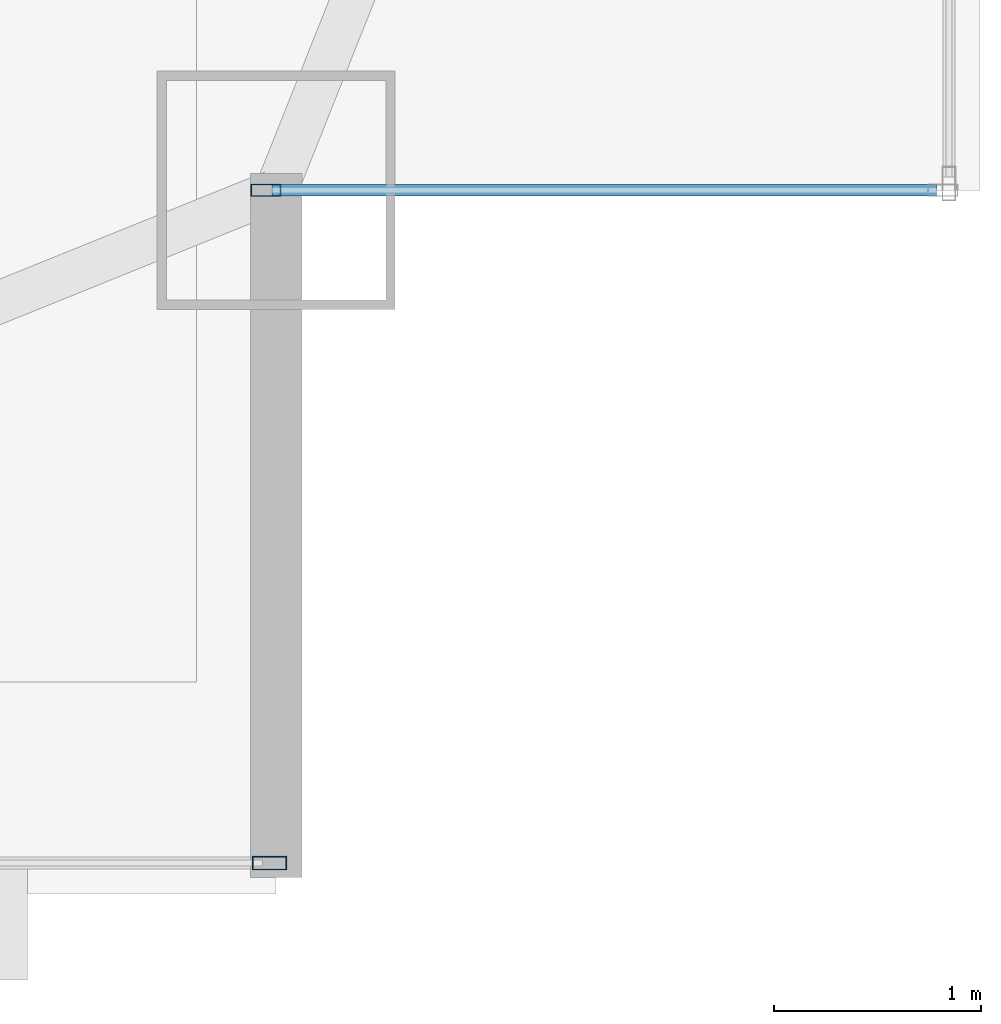
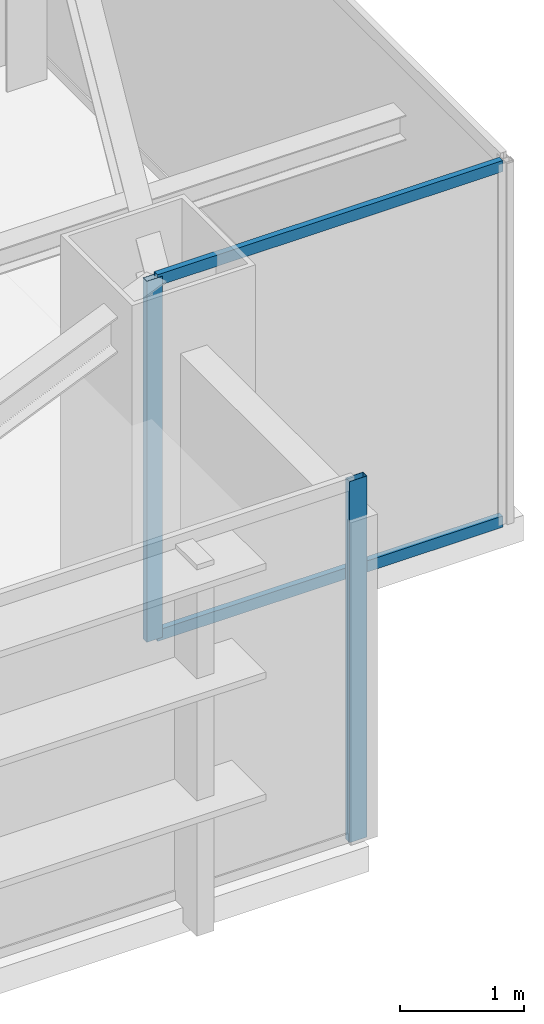
# One storey, part 11 of 26: 4 members, 2 elements without a shape of their own.
"""IFC4 building model written with IfcOpenShell, lengths in metres."""

from ifc_helpers import new_model, si_unit, direction, frame, origin, origin_2d, place, context, subcontext, project, spatial, hollow_rectangle, extrude, source, transform, mapped, material, layer, layer_set, material_profile, profile_set, type_object, type_shapes, element, aggregate, save


model = new_model("IFC4")

# Units and contexts
model_context = context("Model", 3, precision=1e-05, world=origin(), true_north=direction((0.0, 1.0)))
body_context = subcontext(model_context, "Body", "Model", "MODEL_VIEW")
ifc_project = project(units=[si_unit("LENGTHUNIT", "METRE"), si_unit("AREAUNIT", "SQUARE_METRE"), si_unit("VOLUMEUNIT", "CUBIC_METRE"), si_unit("PLANEANGLEUNIT", "RADIAN"), si_unit("MASSUNIT", "GRAM", prefix="KILO")], contexts=[model_context])

# Site, building, storey
site_placement = place(None, origin())
site = spatial("IfcSite", under=ifc_project, at=site_placement, CompositionType="ELEMENT")
building_placement = place(site_placement, origin())
building = spatial("IfcBuilding", under=site, at=building_placement, Name="Varnel Quay Broadcast Tower", CompositionType="ELEMENT")
storey_placement = place(building_placement, frame((0.0, 0.0, 218.800048828125)))
storey = spatial("IfcBuildingStorey", under=building, at=storey_placement, Name="L54", CompositionType="ELEMENT", Elevation=218.800048828125)

# Curtain wall, member
ifc_material = material(Name="Anodised Bronze Aluminium 6063-T6", Category="aluminium")
ifc_layer_1 = layer(ifc_material, 0.18994140625, Name="Anodised Bronze Aluminium 6063-T6")
ifc_layer_set_1 = layer_set([ifc_layer_1], Name="Anodised Bronze Aluminium 6063-T6")
curtain_wall_type_1 = type_object("IfcCurtainWallType", Name="CW_NotchCorner", PredefinedType="NOTDEFINED", material=ifc_layer_set_1)
curtain_wall_1_placement = place(storey_placement, origin())
curtain_wall_1 = element("IfcCurtainWall", 1, at=curtain_wall_1_placement, inside=storey, type_object=curtain_wall_type_1, Name="L54 SE Notch Curtain Wall", PredefinedType="NOTDEFINED")
ifc_material_profile_1 = material_profile(ifc_material, hollow_rectangle(XDim=0.06005859375, YDim=0.14501953125, WallThickness=0.00341796875, at=origin_2d()), Name="ALU60X145X3.5")
ifc_profile_set_1 = profile_set([ifc_material_profile_1], Name="Anodised Bronze Aluminium 6063-T6")
member_type_1 = type_object("IfcMemberType", Name="Mull_CWS-04", PredefinedType="MULLION", material=ifc_profile_set_1)
shared_shape_1 = source(origin(), body_context, "Body", "SweptSolid", [
    extrude(hollow_rectangle(XDim=0.06005859375, YDim=0.14501953125, WallThickness=0.00341796875, at=origin_2d()), origin(), (0.0, 0.0, 1.0), 3.550048828125),
])
type_shapes(member_type_1, [shared_shape_1])
member_1_placement = place(storey_placement, frame((55.050048828125, 13.60009765625, 0.0), z_axis=(0.0, 0.0, 1.0), x_axis=(0.0, 1.0, 0.0)))
member_1 = element("IfcMember", 2, at=member_1_placement, type_object=member_type_1, Name="CWS-04 mullion 1", PredefinedType="MULLION", context=body_context, shape_type="MappedRepresentation", body=[
    mapped(shared_shape_1, transform((0.0, 0.0, 0.0), x_axis=(1.0, 0.0, 0.0), y_axis=(0.0, 1.0, 0.0), z_axis=(0.0, 0.0, 1.0), scale=1.0)),
])

ifc_layer_2 = layer(ifc_material, 0.18994140625, Name="Anodised Bronze Aluminium 6063-T6")
ifc_layer_set_2 = layer_set([ifc_layer_2], Name="Anodised Bronze Aluminium 6063-T6")
curtain_wall_type_2 = type_object("IfcCurtainWallType", Name="CW_UpperTower", PredefinedType="NOTDEFINED", material=ifc_layer_set_2)
curtain_wall_2_placement = place(storey_placement, origin())
curtain_wall_2 = element("IfcCurtainWall", 3, at=curtain_wall_2_placement, inside=storey, type_object=curtain_wall_type_2, Name="L54 South Unitised Curtain Wall 1", PredefinedType="NOTDEFINED")
ifc_material_profile_2 = material_profile(ifc_material, hollow_rectangle(XDim=0.06494140625, YDim=0.1650390625, WallThickness=0.00341796875, at=origin_2d()), Name="ALU65X165X3.5")
ifc_profile_set_2 = profile_set([ifc_material_profile_2], Name="Anodised Bronze Aluminium 6063-T6")
member_type_2 = type_object("IfcMemberType", Name="Mull_CWS-03", PredefinedType="MULLION", material=ifc_profile_set_2)
shared_shape_2 = source(origin(), body_context, "Body", "SweptSolid", [
    extrude(hollow_rectangle(XDim=0.06494140625, YDim=0.1650390625, WallThickness=0.00341796875, at=origin_2d()), origin(), (0.0, 0.0, 1.0), 3.550048828125),
])
type_shapes(member_type_2, [shared_shape_2])
member_2_placement = place(storey_placement, frame((55.0673828125, 10.35009765625, 0.0), z_axis=(0.0, 0.0, 1.0), x_axis=(0.0, 1.0, 0.0)))
member_2 = element("IfcMember", 4, at=member_2_placement, type_object=member_type_2, Name="CWS-03 mullion 4", PredefinedType="MULLION", context=body_context, shape_type="MappedRepresentation", body=[
    mapped(shared_shape_2, transform((0.0, 0.0, 0.0), x_axis=(1.0, 0.0, 0.0), y_axis=(0.0, 1.0, 0.0), z_axis=(0.0, 0.0, 1.0), scale=1.0)),
])
aggregate(curtain_wall_2, [member_2])

# Member
ifc_material_profile_3 = material_profile(ifc_material, hollow_rectangle(XDim=0.054931640625, YDim=0.110107421875, WallThickness=0.0029296875, at=origin_2d()), Name="ALU55X110X3")
ifc_profile_set_3 = profile_set([ifc_material_profile_3], Name="Anodised Bronze Aluminium 6063-T6")
member_type_3 = type_object("IfcMemberType", Name="Tran_CWS-04", PredefinedType="USERDEFINED", material=ifc_profile_set_3)
shared_shape_3 = source(origin(), body_context, "Body", "SweptSolid", [
    extrude(hollow_rectangle(XDim=0.054931640625, YDim=0.110107421875, WallThickness=0.0029296875, at=origin_2d()), origin(), (0.0, 0.0, 1.0), 3.2099609375),
])
type_shapes(member_type_3, [shared_shape_3])
member_3_placement = place(storey_placement, frame((55.080078125, 13.60009765625, 0.02734375), z_axis=(1.0, 0.0, 0.0), x_axis=(0.0, 1.0, 0.0)))
member_3 = element("IfcMember", 5, at=member_3_placement, type_object=member_type_3, Name="CWS-04 transom 1.1", ObjectType="TRANSOM", PredefinedType="USERDEFINED", context=body_context, shape_type="MappedRepresentation", body=[
    mapped(shared_shape_3, transform((0.0, 0.0, 0.0), x_axis=(1.0, 0.0, 0.0), y_axis=(0.0, 1.0, 0.0), z_axis=(0.0, 0.0, 1.0), scale=1.0)),
])

member_4_placement = place(storey_placement, frame((55.080078125, 13.60009765625, 3.5224609375), z_axis=(1.0, 0.0, 0.0), x_axis=(0.0, 1.0, 0.0)))
member_4 = element("IfcMember", 6, at=member_4_placement, type_object=member_type_3, Name="CWS-04 transom 1.2", ObjectType="TRANSOM", PredefinedType="USERDEFINED", context=body_context, shape_type="MappedRepresentation", body=[
    mapped(shared_shape_3, transform((0.0, 0.0, 0.0), x_axis=(1.0, 0.0, 0.0), y_axis=(0.0, 1.0, 0.0), z_axis=(0.0, 0.0, 1.0), scale=1.0)),
])

aggregate(curtain_wall_1, [member_1, member_3, member_4])

save(model, "model.ifc")
